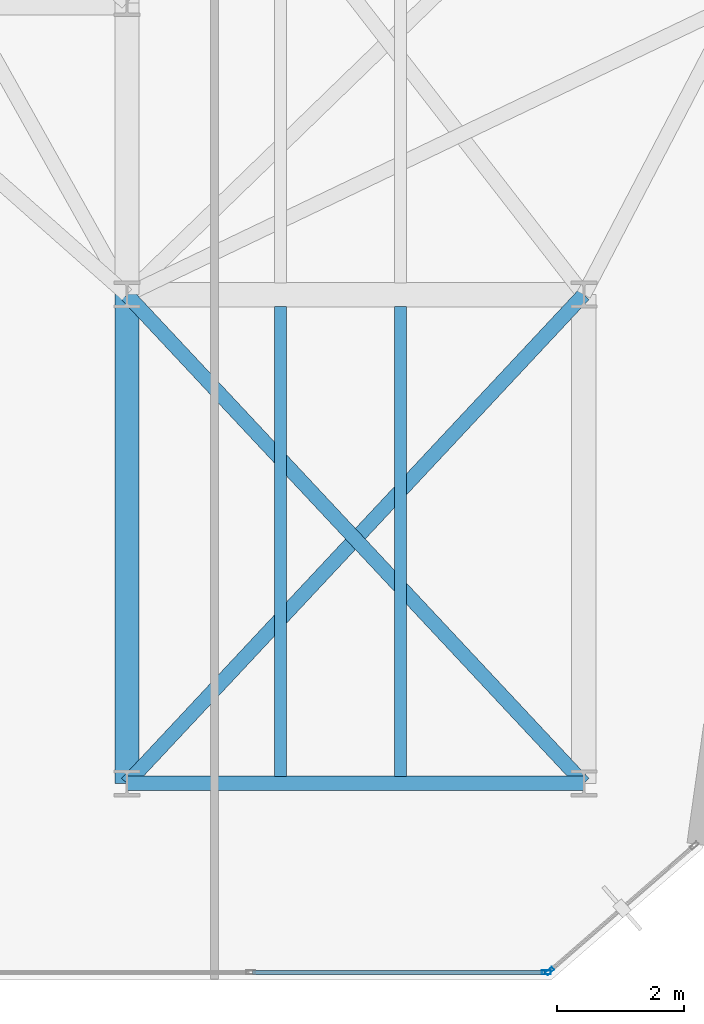
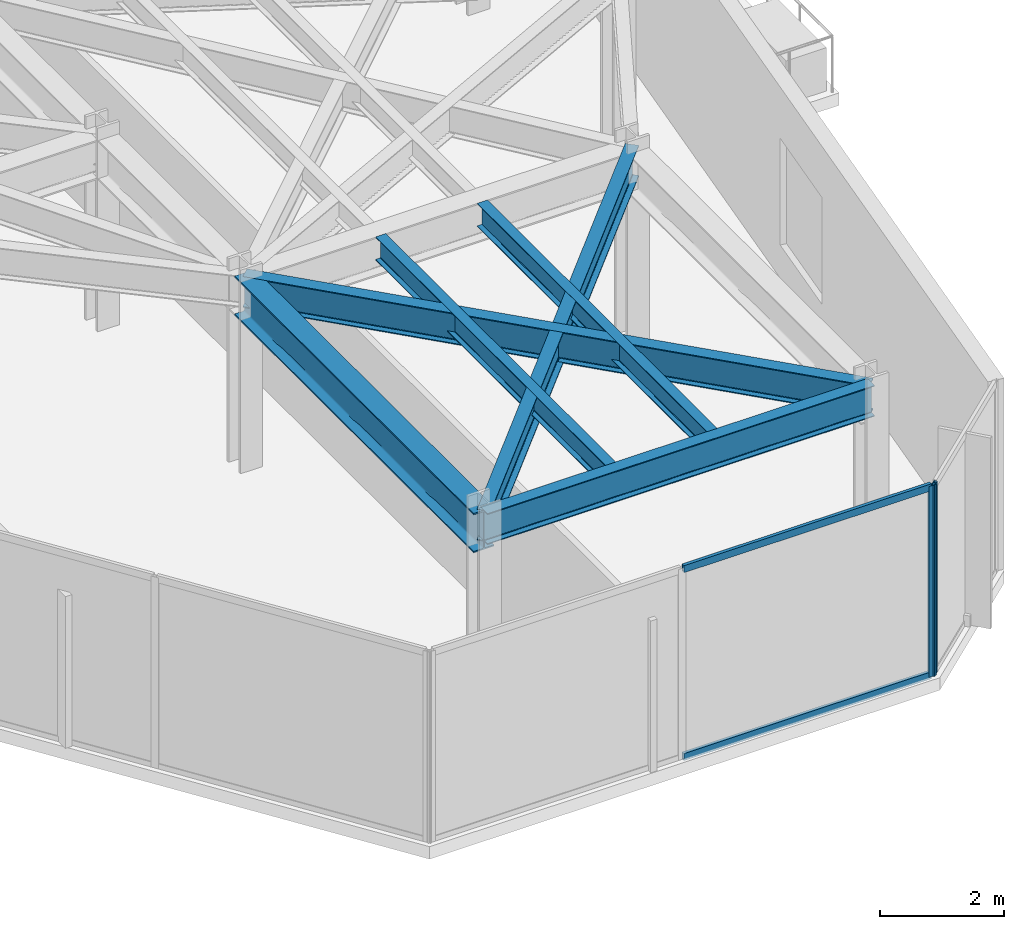
# One storey, part 17 of 27: 6 beams, 4 members, 2 elements without a shape of their own.
"""IFC4 building model written with IfcOpenShell, lengths in metres."""

from ifc_helpers import new_model, si_unit, direction, frame, origin, origin_2d, place, context, subcontext, project, spatial, hollow_rectangle, i_section, extrude, material, layer, layer_set, material_profile, profile_set, type_object, element, aggregate, save


model = new_model("IFC4")

# Units and contexts
model_context = context("Model", 3, precision=1e-05, world=origin(), true_north=direction((0.0, 1.0)))
body_context = subcontext(model_context, "Body", "Model", "MODEL_VIEW")
ifc_project = project(units=[si_unit("LENGTHUNIT", "METRE"), si_unit("AREAUNIT", "SQUARE_METRE"), si_unit("VOLUMEUNIT", "CUBIC_METRE"), si_unit("PLANEANGLEUNIT", "RADIAN"), si_unit("MASSUNIT", "GRAM", prefix="KILO")], contexts=[model_context])

# Site, building, storey
site_placement = place(None, origin())
site = spatial("IfcSite", under=ifc_project, at=site_placement, CompositionType="ELEMENT")
building_placement = place(site_placement, origin())
building = spatial("IfcBuilding", under=site, at=building_placement, Name="Kravanh Interchange Tower", CompositionType="ELEMENT")
storey_placement = place(building_placement, frame((0.0, 0.0, 188.5)))
storey = spatial("IfcBuildingStorey", under=building, at=storey_placement, Name="L45", CompositionType="ELEMENT", Elevation=188.5)

# Curtain wall, member
ifc_material_1 = material(Name="Anodised Bronze Aluminium", Category="aluminium")
ifc_layer = layer(ifc_material_1, 0.179931640625)
ifc_layer_set = layer_set([ifc_layer], Name="Unitised Curtain Wall System CW-Z3 Upper Office")
curtain_wall_type = type_object("IfcCurtainWallType", Name="Unitised Curtain Wall System CW-Z3 Upper Office", PredefinedType="NOTDEFINED", material=ifc_layer_set)
curtain_wall_1_placement = place(storey_placement, origin())
curtain_wall_1 = element("IfcCurtainWall", 1, at=curtain_wall_1_placement, inside=storey, type_object=curtain_wall_type, Name="L45 Unitised Curtain Wall CW-L45-02", PredefinedType="NOTDEFINED")
ifc_material_2 = material(Name="Anodised Bronze Aluminium", Category="aluminium")
ifc_material_profile_1 = material_profile(ifc_material_2, hollow_rectangle(XDim=0.06005859375, YDim=0.139892578125, WallThickness=0.00390625, at=origin_2d()), Name="ALU60X140X4")
ifc_profile_set_1 = profile_set([ifc_material_profile_1], Name="Anodised Bronze Aluminium")
member_type_1 = type_object("IfcMemberType", Name="Curtain Wall Mullion ALU60X140X4 Bronze", PredefinedType="MULLION", material=ifc_profile_set_1)
member_1_placement = place(storey_placement, frame((62.66357421875, 11.539794921875, 0.0), z_axis=(0.0, 0.0, 1.0), x_axis=(0.65605090137, -0.754716645379, 0.0)))
member_1 = element("IfcMember", 2, at=member_1_placement, type_object=member_type_1, Name="CW-Z3 mullion 2", PredefinedType="MULLION", context=body_context, shape_type="SweptSolid", body=[
    extrude(hollow_rectangle(XDim=0.06005859375, YDim=0.139892578125, WallThickness=0.00390625, at=origin_2d()), origin(), (0.0, 0.0, 1.0), 3.7548828125),
])
aggregate(curtain_wall_1, [member_1])

# Curtain wall, members
curtain_wall_2_placement = place(storey_placement, origin())
curtain_wall_2 = element("IfcCurtainWall", 3, at=curtain_wall_2_placement, inside=storey, type_object=curtain_wall_type, Name="L45 Unitised Curtain Wall CW-L45-03", PredefinedType="NOTDEFINED")
member_2_placement = place(storey_placement, frame((62.611083984375, 11.52001953125, 0.0), z_axis=(0.0, 0.0, 1.0), x_axis=(0.0, -1.0, 0.0)))
member_2 = element("IfcMember", 4, at=member_2_placement, type_object=member_type_1, Name="CW-Z3 mullion 1", PredefinedType="MULLION", context=body_context, shape_type="SweptSolid", body=[
    extrude(hollow_rectangle(XDim=0.06005859375, YDim=0.139892578125, WallThickness=0.00390625, at=origin_2d()), origin(), (0.0, 0.0, 1.0), 3.7548828125),
])
ifc_material_3 = material(Name="Anodised Bronze Aluminium", Category="aluminium")
ifc_material_profile_2 = material_profile(ifc_material_3, hollow_rectangle(XDim=0.06005859375, YDim=0.139892578125, WallThickness=0.00390625, at=origin_2d()), Name="ALU60X140X4")
ifc_profile_set_2 = profile_set([ifc_material_profile_2], Name="Anodised Bronze Aluminium")
member_type_2 = type_object("IfcMemberType", Name="Curtain Wall Transom ALU60X140X4 Bronze", PredefinedType="USERDEFINED", material=ifc_profile_set_2)
member_3_placement = place(storey_placement, frame((62.5810546875, 11.52001953125, 0.030029296875), z_axis=(-1.0, 0.0, 0.0), x_axis=(0.0, -1.0, 0.0)))
member_3 = element("IfcMember", 5, at=member_3_placement, type_object=member_type_2, Name="CW-Z3 transom 1.1", ObjectType="TRANSOM", PredefinedType="USERDEFINED", context=body_context, shape_type="SweptSolid", body=[
    extrude(hollow_rectangle(XDim=0.06005859375, YDim=0.139892578125, WallThickness=0.00390625, at=origin_2d()), origin(), (0.0, 0.0, 1.0), 4.59912109375),
])
member_4_placement = place(storey_placement, frame((62.5810546875, 11.52001953125, 3.72509765625), z_axis=(-1.0, 0.0, 0.0), x_axis=(0.0, -1.0, 0.0)))
member_4 = element("IfcMember", 6, at=member_4_placement, type_object=member_type_2, Name="CW-Z3 transom 1.2", ObjectType="TRANSOM", PredefinedType="USERDEFINED", context=body_context, shape_type="SweptSolid", body=[
    extrude(hollow_rectangle(XDim=0.06005859375, YDim=0.139892578125, WallThickness=0.00390625, at=origin_2d()), origin(), (0.0, 0.0, 1.0), 4.59912109375),
])
aggregate(curtain_wall_2, [member_2, member_3, member_4])

# Beams
ifc_material_4 = material(Name="Structural Steel S355", Category="steel")
ifc_material_profile_3 = material_profile(ifc_material_4, i_section(OverallWidth=0.381103515625, OverallDepth=0.77294921875, WebThickness=0.0166015625, FlangeThickness=0.027099609375, FilletRadius=0.02490234375, at=origin_2d()), Name="W30X173")
ifc_profile_set_3 = profile_set([ifc_material_profile_3], Name="Structural Steel S355")
beam_type_1 = type_object("IfcBeamType", Name="Floor Beam W30X173 Structural Steel S355", PredefinedType="BEAM", material=ifc_profile_set_3)
beam_1_placement = place(storey_placement, frame((56.0, 14.5, 3.368408203125), z_axis=(0.0, 1.0, 0.0), x_axis=(-1.0, 0.0, 0.0)))
element("IfcBeam", 7, at=beam_1_placement, inside=storey, type_object=beam_type_1, Name="L45 Primary Floor Girder 87", PredefinedType="BEAM", context=body_context, shape_type="SweptSolid", body=[
    extrude(i_section(OverallWidth=0.381103515625, OverallDepth=0.77294921875, WebThickness=0.0166015625, FlangeThickness=0.027099609375, FilletRadius=0.02490234375, at=origin_2d()), origin(), (0.0, 0.0, 1.0), 7.699951171875),
])
ifc_material_5 = material(Name="Structural Steel S355", Category="steel")
ifc_material_profile_4 = material_profile(ifc_material_5, i_section(OverallWidth=0.18994140625, OverallDepth=0.45703125, WebThickness=0.009033203125, FlangeThickness=0.014404296875, FilletRadius=0.01806640625, at=origin_2d()), Name="W18X50")
ifc_profile_set_4 = profile_set([ifc_material_profile_4], Name="Structural Steel S355")
beam_type_2 = type_object("IfcBeamType", Name="Floor Joist W18X50 Structural Steel S355", PredefinedType="JOIST", material=ifc_profile_set_4)
for number, where, z_axis, x_axis, name in (
    (8, (58.419921875, 14.60888671875, 3.526611328125), (0.0, 1.0, 0.0), (-1.0, 0.0, 0.0), "L45 Secondary Floor Joist 3"),
    (9, (60.30810546875, 14.60888671875, 3.526611328125), (0.0, 1.0, 0.0), (-1.0, 0.0, 0.0), "L45 Secondary Floor Joist 4"),
):
    element("IfcBeam", number, at=place(storey_placement, frame(where, z_axis=z_axis, x_axis=x_axis)), inside=storey, type_object=beam_type_2, Name=name, PredefinedType="JOIST", context=body_context, shape_type="SweptSolid", body=[
        extrude(i_section(OverallWidth=0.18994140625, OverallDepth=0.45703125, WebThickness=0.009033203125, FlangeThickness=0.014404296875, FilletRadius=0.01806640625, at=origin_2d()), origin(), (0.0, 0.0, 1.0), 7.405517578125),
    ])
ifc_material_6 = material(Name="Structural Steel S355", Category="steel")
ifc_material_profile_5 = material_profile(ifc_material_6, i_section(OverallWidth=0.22802734375, OverallDepth=0.60791015625, WebThickness=0.01123046875, FlangeThickness=0.017333984375, FilletRadius=0.02197265625, at=origin_2d()), Name="W24X76")
ifc_profile_set_5 = profile_set([ifc_material_profile_5], Name="Structural Steel S355")
beam_type_3 = type_object("IfcBeamType", Name="Floor Spandrel W24X76 Structural Steel S355", PredefinedType="SPANDREL", material=ifc_profile_set_5)
beam_2_placement = place(storey_placement, frame((56.0, 14.5, 3.450927734375), z_axis=(1.0, 0.0, 0.0), x_axis=(0.0, 1.0, 0.0)))
element("IfcBeam", 10, at=beam_2_placement, inside=storey, type_object=beam_type_3, Name="L45 Perimeter Spandrel 86", PredefinedType="SPANDREL", context=body_context, shape_type="SweptSolid", body=[
    extrude(i_section(OverallWidth=0.22802734375, OverallDepth=0.60791015625, WebThickness=0.01123046875, FlangeThickness=0.017333984375, FilletRadius=0.02197265625, at=origin_2d()), origin(), (0.0, 0.0, 1.0), 7.199951171875),
])
for number, where, z_axis, x_axis, name in (
    (11, (56.0, 14.5, 3.450927734375), (0.682993762113, 0.73042420614, 0.0), (-0.73042420614, 0.682993762113, 0.0), "L45 Perimeter Spandrel 88"),
    (12, (63.199951171875, 14.5, 3.450927734375), (-0.682993762113, 0.73042420614, 0.0), (-0.73042420614, -0.682993762113, 0.0), "L45 Perimeter Spandrel 90"),
):
    element("IfcBeam", number, at=place(storey_placement, frame(where, z_axis=z_axis, x_axis=x_axis)), inside=storey, type_object=beam_type_3, Name=name, PredefinedType="SPANDREL", context=body_context, shape_type="SweptSolid", body=[
        extrude(i_section(OverallWidth=0.22802734375, OverallDepth=0.60791015625, WebThickness=0.01123046875, FlangeThickness=0.017333984375, FilletRadius=0.02197265625, at=origin_2d()), origin(), (0.0, 0.0, 1.0), 10.541748046875),
    ])

save(model, "model.ifc")
